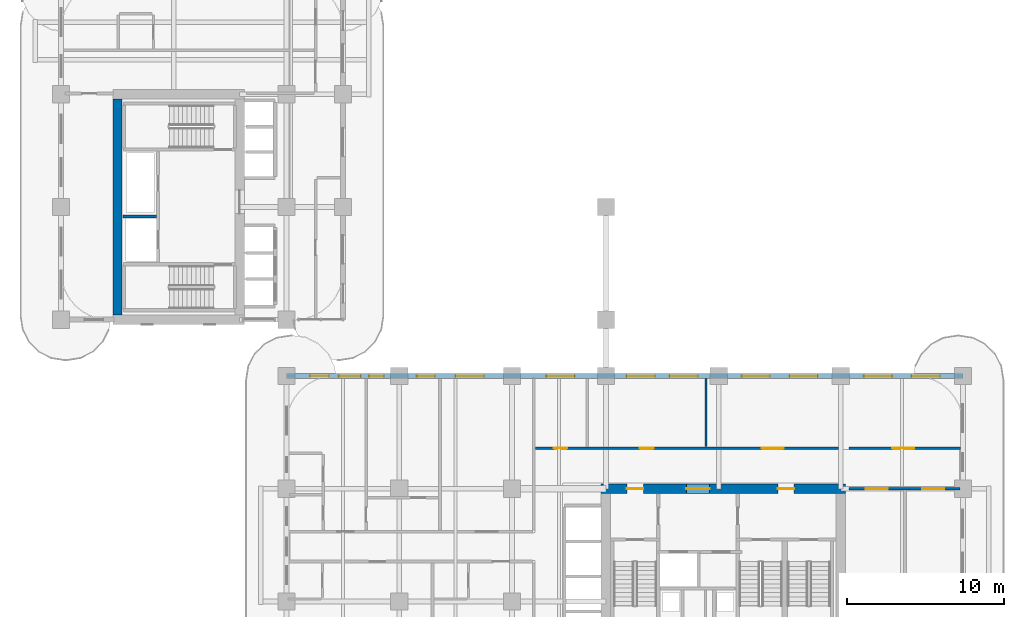
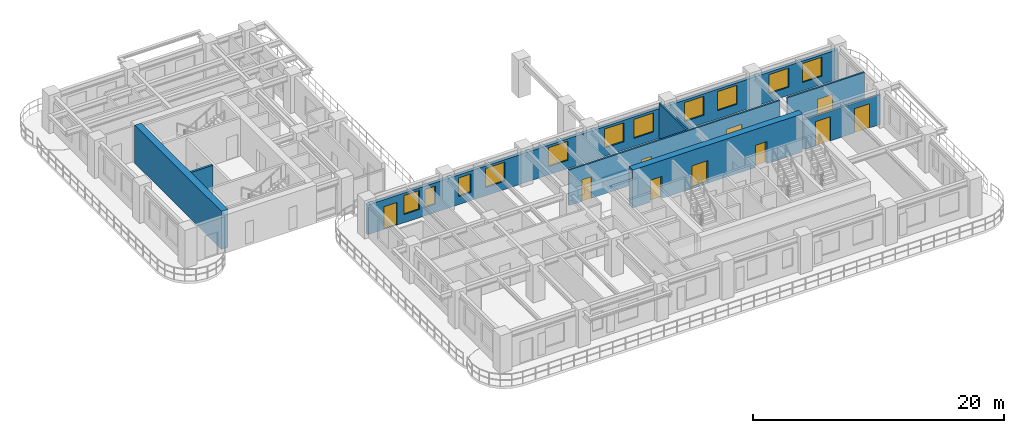
# One storey, part 10 of 19: 11 windows, 10 doors, 8 walls, 21 openings.
"""IFC4 building model written with IfcOpenShell, lengths in metres."""

from ifc_helpers import new_model, si_unit, derived_unit, direction, frame, frame_2d, origin, place, context, subcontext, project, spatial, rectangle, extrude, source, transform, mapped, material, layer, layer_set, type_object, type_shapes, element, fill, save


model = new_model("IFC4")

# Units and contexts
model_context = context("Model", 3, precision=1e-05, world=origin(), true_north=direction((0.0, 1.0)))
body_context = subcontext(model_context, "Body", "Model", "MODEL_VIEW")
ifc_project = project(units=[si_unit("LENGTHUNIT", "METRE"), si_unit("AREAUNIT", "SQUARE_METRE"), si_unit("VOLUMEUNIT", "CUBIC_METRE"), si_unit("PLANEANGLEUNIT", "RADIAN"), si_unit("MASSUNIT", "GRAM", prefix="KILO"), si_unit("THERMODYNAMICTEMPERATUREUNIT", "KELVIN"), si_unit("POWERUNIT", "WATT"), derived_unit("THERMALTRANSMITTANCEUNIT", [(si_unit("POWERUNIT", "WATT"), 1), (si_unit("AREAUNIT", "SQUARE_METRE"), -1), (si_unit("THERMODYNAMICTEMPERATUREUNIT", "KELVIN"), -1)])], contexts=[model_context])

# Site, building, storey
site_placement = place(None, origin())
site = spatial("IfcSite", under=ifc_project, at=site_placement, CompositionType="ELEMENT")
building_placement = place(site_placement, origin())
building = spatial("IfcBuilding", under=site, at=building_placement, Name="Zahravan Archway Hotel and Residences", CompositionType="ELEMENT")
storey_placement = place(building_placement, frame((0.0, 0.0, 39.800048828125)))
storey = spatial("IfcBuildingStorey", under=building, at=storey_placement, Name="L08", CompositionType="ELEMENT", Elevation=39.800048828125)

# Wall, openings, doors
ifc_material_1 = material(Name="Concrete C70/85", Category="concrete")
ifc_layer_1 = layer(ifc_material_1, 0.60009765625, Name="Concrete C70/85", Category="concrete")
ifc_layer_set_1 = layer_set([ifc_layer_1], Name="Concrete C70/85")
wall_type_1 = type_object("IfcWallType", Name="CW-CORE-600", PredefinedType="SHEAR", material=ifc_layer_set_1)
wall_1_placement = place(storey_placement, frame((34.5, 14.39990234375, 0.0), z_axis=(0.0, 0.0, 1.0), x_axis=(1.0, 0.0, 0.0)))
wall_1 = element("IfcWall", 1, at=wall_1_placement, inside=storey, type_object=wall_type_1, Name="L08 Core A Shear N Wall 600 mm", PredefinedType="SHEAR", context=body_context, shape_type="SweptSolid", body=[
    extrude(rectangle(XDim=15.60009765625, YDim=0.60009765625, at=frame_2d((7.800048828125, 0.0))), origin(), (0.0, 0.0, 1.0), 3.699951171875),
])
opening_1_placement = place(wall_1_placement, frame((5.429931640625, 0.0, 0.0)))
opening_1 = element("IfcOpeningElement", 2, at=opening_1_placement, cuts=wall_1, Name="Opening FD-L1", PredefinedType="OPENING", context=body_context, shape_type="SweptSolid", body=[
    extrude(rectangle(XDim=1.5, YDim=2.199951171875, at=frame_2d((0.75, 1.10009765625))), frame((0.0, 0.31005859375, 0.0), z_axis=(0.0, -1.0, 0.0), x_axis=(1.0, 0.0, 0.0)), (0.0, 0.0, 1.0), 0.6201171875),
])
opening_2_placement = place(wall_1_placement, frame((1.64501953125, 0.0, 0.0)))
opening_2 = element("IfcOpeningElement", 3, at=opening_2_placement, cuts=wall_1, Name="Opening FD-L2", PredefinedType="OPENING", context=body_context, shape_type="SweptSolid", body=[
    extrude(rectangle(XDim=1.050048828125, YDim=2.14990234375, at=frame_2d((0.52490234375, 1.074951171875))), frame((0.0, 0.31005859375, 0.0), z_axis=(0.0, -1.0, 0.0), x_axis=(1.0, 0.0, 0.0)), (0.0, 0.0, 1.0), 0.6201171875),
])
opening_3_placement = place(wall_1_placement, frame((11.27490234375, 0.0, 0.0)))
opening_3 = element("IfcOpeningElement", 4, at=opening_3_placement, cuts=wall_1, Name="Opening FD-L2", PredefinedType="OPENING", context=body_context, shape_type="SweptSolid", body=[
    extrude(rectangle(XDim=1.050048828125, YDim=2.14990234375, at=frame_2d((0.52490234375, 1.074951171875))), frame((0.0, 0.31005859375, 0.0), z_axis=(0.0, -1.0, 0.0), x_axis=(1.0, 0.0, 0.0)), (0.0, 0.0, 1.0), 0.6201171875),
])
ifc_material_2 = material(Name="Fire-Rated Painted Steel", Category="steel")
door_type_1 = type_object("IfcDoorType", Name="FD-LOBBY-1100", OperationType="NOTDEFINED", PredefinedType="DOOR", material=ifc_material_2)
shared_shape_1 = source(origin(), body_context, "Body", "SweptSolid", [
    extrude(rectangle(XDim=1.050048828125, YDim=2.14990234375, at=frame_2d((0.52490234375, 1.074951171875))), frame((0.0, 0.02490234375, 0.0), z_axis=(0.0, -1.0, 0.0), x_axis=(1.0, 0.0, 0.0)), (0.0, 0.0, 1.0), 0.050048828125),
])
type_shapes(door_type_1, [shared_shape_1])
door_1_placement = place(opening_2_placement, origin())
door_1 = element("IfcDoor", 5, at=door_1_placement, inside=storey, type_object=door_type_1, Name="L08 Core A West Stair Lobby Door", OperationType="SINGLE_SWING_RIGHT", OverallHeight=2.14990234375, OverallWidth=1.050048828125, PredefinedType="DOOR", context=body_context, shape_type="MappedRepresentation", body=[
    mapped(shared_shape_1, transform((0.0, 0.0, 0.0), scale=1.0)),
])
fill(opening_2, door_1)
door_2_placement = place(opening_3_placement, origin())
door_2 = element("IfcDoor", 6, at=door_2_placement, inside=storey, type_object=door_type_1, Name="L08 Core A East Stair Lobby Door", OperationType="SINGLE_SWING_LEFT", OverallHeight=2.14990234375, OverallWidth=1.050048828125, PredefinedType="DOOR", context=body_context, shape_type="MappedRepresentation", body=[
    mapped(shared_shape_1, transform((0.0, 0.0, 0.0), scale=1.0)),
])
fill(opening_3, door_2)
door_type_2 = type_object("IfcDoorType", Name="FD-LOBBY-1500", OperationType="DOUBLE_DOOR_SINGLE_SWING", PredefinedType="DOOR", material=ifc_material_2)
shared_shape_2 = source(origin(), body_context, "Body", "SweptSolid", [
    extrude(rectangle(XDim=1.5, YDim=2.199951171875, at=frame_2d((0.75, 1.10009765625))), frame((0.0, 0.02490234375, 0.0), z_axis=(0.0, -1.0, 0.0), x_axis=(1.0, 0.0, 0.0)), (0.0, 0.0, 1.0), 0.050048828125),
])
type_shapes(door_type_2, [shared_shape_2])
door_3_placement = place(opening_1_placement, origin())
door_3 = element("IfcDoor", 7, at=door_3_placement, inside=storey, type_object=door_type_2, Name="L08 Core A FSAE Lobby Main Door", OperationType="DOUBLE_DOOR_SINGLE_SWING", OverallHeight=2.199951171875, OverallWidth=1.5, PredefinedType="DOOR", context=body_context, shape_type="MappedRepresentation", body=[
    mapped(shared_shape_2, transform((0.0, 0.0, 0.0), scale=1.0)),
])
fill(opening_1, door_3)

# Wall
wall_2_placement = place(storey_placement, frame((3.60009765625, 25.5, 0.0), z_axis=(0.0, 0.0, 1.0), x_axis=(0.0, 1.0, 0.0)))
element("IfcWall", 8, at=wall_2_placement, inside=storey, type_object=wall_type_1, Name="L08 Core B Shear W Wall 600 mm", PredefinedType="SHEAR", context=body_context, shape_type="SweptSolid", body=[
    extrude(rectangle(XDim=13.800048828125, YDim=0.60009765625, at=frame_2d((6.89990234375, 0.0))), origin(), (0.0, 0.0, 1.0), 3.699951171875),
])

# Wall, openings, door, windows
ifc_material_3 = material(Name="Agra Buff Sandstone & Insulated Backup", Category="masonry")
ifc_layer_2 = layer(ifc_material_3, 0.320068359375, Name="Agra Buff Sandstone & Insulated Backup", Category="masonry")
ifc_layer_set_2 = layer_set([ifc_layer_2], Name="Agra Buff Sandstone & Insulated Backup")
wall_type_2 = type_object("IfcWallType", Name="EW-SAND-320", PredefinedType="SOLIDWALL", material=ifc_layer_set_2)
wall_3_placement = place(storey_placement, frame((14.39990234375, 21.60009765625, 0.0), z_axis=(0.0, 0.0, 1.0), x_axis=(1.0, 0.0, 0.0)))
wall_3 = element("IfcWall", 9, at=wall_3_placement, inside=storey, type_object=wall_type_2, Name="L08 Exterior Sandstone Wall WA-NE", PredefinedType="SOLIDWALL", context=body_context, shape_type="SweptSolid", body=[
    extrude(rectangle(XDim=43.2001953125, YDim=0.320068359375, at=frame_2d((21.60009765625, 0.0))), origin(), (0.0, 0.0, 1.0), 2.885009765625),
])
opening_4_placement = place(wall_3_placement, frame((1.5, 0.0, 0.0)))
opening_4 = element("IfcOpeningElement", 10, at=opening_4_placement, cuts=wall_3, Name="Opening ED-BL1", PredefinedType="OPENING", context=body_context, shape_type="SweptSolid", body=[
    extrude(rectangle(XDim=1.199951171875, YDim=2.199951171875, at=frame_2d((0.60009765625, 1.10009765625))), frame((0.0, 0.169921875, 0.0), z_axis=(0.0, -1.0, 0.0), x_axis=(1.0, 0.0, 0.0)), (0.0, 0.0, 1.0), 0.340087890625),
])
opening_5_placement = place(wall_3_placement, frame((3.3359375, 0.0, 0.800048828125)))
opening_5 = element("IfcOpeningElement", 11, at=opening_5_placement, cuts=wall_3, Name="Opening W-03", PredefinedType="OPENING", context=body_context, shape_type="SweptSolid", body=[
    extrude(rectangle(XDim=1.39990234375, YDim=1.85009765625, at=frame_2d((0.699951171875, 0.925048828125))), frame((0.0, 0.169921875, 0.0), z_axis=(0.0, -1.0, 0.0), x_axis=(1.0, 0.0, 0.0)), (0.0, 0.0, 1.0), 0.340087890625),
])
opening_6_placement = place(wall_3_placement, frame((5.26904296875, 0.0, 0.800048828125)))
opening_6 = element("IfcOpeningElement", 12, at=opening_6_placement, cuts=wall_3, Name="Opening W-04", PredefinedType="OPENING", context=body_context, shape_type="SweptSolid", body=[
    extrude(rectangle(XDim=0.949951171875, YDim=1.75, at=frame_2d((0.47509765625, 0.875))), frame((0.0, 0.169921875, 0.0), z_axis=(0.0, -1.0, 0.0), x_axis=(1.0, 0.0, 0.0)), (0.0, 0.0, 1.0), 0.340087890625),
])
opening_7_placement = place(wall_3_placement, frame((8.321044921875, 0.0, 0.800048828125)))
opening_7 = element("IfcOpeningElement", 13, at=opening_7_placement, cuts=wall_3, Name="Opening W-05", PredefinedType="OPENING", context=body_context, shape_type="SweptSolid", body=[
    extrude(rectangle(XDim=1.14990234375, YDim=1.800048828125, at=frame_2d((0.574951171875, 0.89990234375))), frame((0.0, 0.169921875, 0.0), z_axis=(0.0, -1.0, 0.0), x_axis=(1.0, 0.0, 0.0)), (0.0, 0.0, 1.0), 0.340087890625),
])
opening_8_placement = place(wall_3_placement, frame((10.803955078125, 0.0, 0.800048828125)))
opening_8 = element("IfcOpeningElement", 14, at=opening_8_placement, cuts=wall_3, Name="Opening W-02", PredefinedType="OPENING", context=body_context, shape_type="SweptSolid", body=[
    extrude(rectangle(XDim=1.800048828125, YDim=1.85009765625, at=frame_2d((0.89990234375, 0.925048828125))), frame((0.0, 0.169921875, 0.0), z_axis=(0.0, -1.0, 0.0), x_axis=(1.0, 0.0, 0.0)), (0.0, 0.0, 1.0), 0.340087890625),
])
opening_9_placement = place(wall_3_placement, frame((16.60107421875, 0.0, 0.800048828125)))
opening_9 = element("IfcOpeningElement", 15, at=opening_9_placement, cuts=wall_3, Name="Opening W-02", PredefinedType="OPENING", context=body_context, shape_type="SweptSolid", body=[
    extrude(rectangle(XDim=1.800048828125, YDim=1.85009765625, at=frame_2d((0.89990234375, 0.925048828125))), frame((0.0, 0.169921875, 0.0), z_axis=(0.0, -1.0, 0.0), x_axis=(1.0, 0.0, 0.0)), (0.0, 0.0, 1.0), 0.340087890625),
])
opening_10_placement = place(wall_3_placement, frame((21.722900390625, 0.0, 0.800048828125)))
opening_10 = element("IfcOpeningElement", 16, at=opening_10_placement, cuts=wall_3, Name="Opening W-02", PredefinedType="OPENING", context=body_context, shape_type="SweptSolid", body=[
    extrude(rectangle(XDim=1.800048828125, YDim=1.85009765625, at=frame_2d((0.89990234375, 0.925048828125))), frame((0.0, 0.169921875, 0.0), z_axis=(0.0, -1.0, 0.0), x_axis=(1.0, 0.0, 0.0)), (0.0, 0.0, 1.0), 0.340087890625),
])
opening_11_placement = place(wall_3_placement, frame((24.468994140625, 0.0, 0.800048828125)))
opening_11 = element("IfcOpeningElement", 17, at=opening_11_placement, cuts=wall_3, Name="Opening W-02", PredefinedType="OPENING", context=body_context, shape_type="SweptSolid", body=[
    extrude(rectangle(XDim=1.800048828125, YDim=1.85009765625, at=frame_2d((0.89990234375, 0.925048828125))), frame((0.0, 0.169921875, 0.0), z_axis=(0.0, -1.0, 0.0), x_axis=(1.0, 0.0, 0.0)), (0.0, 0.0, 1.0), 0.340087890625),
])
opening_12_placement = place(wall_3_placement, frame((29.074951171875, 0.0, 0.800048828125)))
opening_12 = element("IfcOpeningElement", 18, at=opening_12_placement, cuts=wall_3, Name="Opening W-02", PredefinedType="OPENING", context=body_context, shape_type="SweptSolid", body=[
    extrude(rectangle(XDim=1.800048828125, YDim=1.85009765625, at=frame_2d((0.89990234375, 0.925048828125))), frame((0.0, 0.169921875, 0.0), z_axis=(0.0, -1.0, 0.0), x_axis=(1.0, 0.0, 0.0)), (0.0, 0.0, 1.0), 0.340087890625),
])
opening_13_placement = place(wall_3_placement, frame((32.125, 0.0, 0.800048828125)))
opening_13 = element("IfcOpeningElement", 19, at=opening_13_placement, cuts=wall_3, Name="Opening W-02", PredefinedType="OPENING", context=body_context, shape_type="SweptSolid", body=[
    extrude(rectangle(XDim=1.800048828125, YDim=1.85009765625, at=frame_2d((0.89990234375, 0.925048828125))), frame((0.0, 0.169921875, 0.0), z_axis=(0.0, -1.0, 0.0), x_axis=(1.0, 0.0, 0.0)), (0.0, 0.0, 1.0), 0.340087890625),
])
opening_14_placement = place(wall_3_placement, frame((36.875, 0.0, 0.800048828125)))
opening_14 = element("IfcOpeningElement", 20, at=opening_14_placement, cuts=wall_3, Name="Opening W-02", PredefinedType="OPENING", context=body_context, shape_type="SweptSolid", body=[
    extrude(rectangle(XDim=1.800048828125, YDim=1.85009765625, at=frame_2d((0.89990234375, 0.925048828125))), frame((0.0, 0.169921875, 0.0), z_axis=(0.0, -1.0, 0.0), x_axis=(1.0, 0.0, 0.0)), (0.0, 0.0, 1.0), 0.340087890625),
])
opening_15_placement = place(wall_3_placement, frame((39.925048828125, 0.0, 0.800048828125)))
opening_15 = element("IfcOpeningElement", 21, at=opening_15_placement, cuts=wall_3, Name="Opening W-02", PredefinedType="OPENING", context=body_context, shape_type="SweptSolid", body=[
    extrude(rectangle(XDim=1.800048828125, YDim=1.85009765625, at=frame_2d((0.89990234375, 0.925048828125))), frame((0.0, 0.169921875, 0.0), z_axis=(0.0, -1.0, 0.0), x_axis=(1.0, 0.0, 0.0)), (0.0, 0.0, 1.0), 0.340087890625),
])
ifc_material_4 = material(Name="Bronze-Anodized Glazed Aluminium", Category="aluminium")
door_type_3 = type_object("IfcDoorType", Name="ED-BALC-1200", OperationType="SLIDING_TO_LEFT", PredefinedType="DOOR", material=ifc_material_4)
shared_shape_3 = source(origin(), body_context, "Body", "SweptSolid", [
    extrude(rectangle(XDim=1.199951171875, YDim=2.199951171875, at=frame_2d((0.60009765625, 1.10009765625))), frame((0.0, 0.02490234375, 0.0), z_axis=(0.0, -1.0, 0.0), x_axis=(1.0, 0.0, 0.0)), (0.0, 0.0, 1.0), 0.050048828125),
])
type_shapes(door_type_3, [shared_shape_3])
door_4_placement = place(opening_4_placement, origin())
door_4 = element("IfcDoor", 22, at=door_4_placement, inside=storey, type_object=door_type_3, Name="L08 Outdoor Access Sliding Door (SLB-BAL-L08-WA)", OperationType="SLIDING_TO_LEFT", OverallHeight=2.199951171875, OverallWidth=1.199951171875, PredefinedType="DOOR", context=body_context, shape_type="MappedRepresentation", body=[
    mapped(shared_shape_3, transform((0.0, 0.0, 0.0), scale=1.0)),
])
fill(opening_4, door_4)
ifc_material_5 = material(Name="Bronze-Anodized Thermal-Break Aluminium & Low-E Glass", Category="aluminium")
window_type_1 = type_object("IfcWindowType", Name="WIN-TWR-1400", PartitioningType="SINGLE_PANEL", PredefinedType="WINDOW", material=ifc_material_5)
shared_shape_4 = source(origin(), body_context, "Body", "SweptSolid", [
    extrude(rectangle(XDim=1.39990234375, YDim=1.85009765625, at=frame_2d((0.699951171875, 0.925048828125))), frame((0.0, 0.030029296875, 0.0), z_axis=(0.0, -1.0, 0.0), x_axis=(1.0, 0.0, 0.0)), (0.0, 0.0, 1.0), 0.06005859375),
])
type_shapes(window_type_1, [shared_shape_4])
window_1_placement = place(opening_5_placement, origin())
window_1 = element("IfcWindow", 23, at=window_1_placement, inside=storey, type_object=window_type_1, Name="L08 Loggia Window 17", OverallHeight=1.85009765625, OverallWidth=1.39990234375, PartitioningType="SINGLE_PANEL", PredefinedType="WINDOW", context=body_context, shape_type="MappedRepresentation", body=[
    mapped(shared_shape_4, transform((0.0, 0.0, 0.0), scale=1.0)),
])
fill(opening_5, window_1)
window_type_2 = type_object("IfcWindowType", Name="WIN-NAR-950", PartitioningType="SINGLE_PANEL", PredefinedType="WINDOW", material=ifc_material_5)
shared_shape_5 = source(origin(), body_context, "Body", "SweptSolid", [
    extrude(rectangle(XDim=0.949951171875, YDim=1.75, at=frame_2d((0.47509765625, 0.875))), frame((0.0, 0.030029296875, 0.0), z_axis=(0.0, -1.0, 0.0), x_axis=(1.0, 0.0, 0.0)), (0.0, 0.0, 1.0), 0.06005859375),
])
type_shapes(window_type_2, [shared_shape_5])
window_2_placement = place(opening_6_placement, origin())
window_2 = element("IfcWindow", 24, at=window_2_placement, inside=storey, type_object=window_type_2, Name="L08 Loggia Window 18", OverallHeight=1.75, OverallWidth=0.949951171875, PartitioningType="SINGLE_PANEL", PredefinedType="WINDOW", context=body_context, shape_type="MappedRepresentation", body=[
    mapped(shared_shape_5, transform((0.0, 0.0, 0.0), scale=1.0)),
])
fill(opening_6, window_2)
window_type_3 = type_object("IfcWindowType", Name="WIN-TWR-1800", PartitioningType="DOUBLE_PANEL_VERTICAL", PredefinedType="WINDOW", material=ifc_material_5)
shared_shape_6 = source(origin(), body_context, "Body", "SweptSolid", [
    extrude(rectangle(XDim=1.800048828125, YDim=1.85009765625, at=frame_2d((0.89990234375, 0.925048828125))), frame((0.0, 0.030029296875, 0.0), z_axis=(0.0, -1.0, 0.0), x_axis=(1.0, 0.0, 0.0)), (0.0, 0.0, 1.0), 0.06005859375),
])
type_shapes(window_type_3, [shared_shape_6])
window_3_placement = place(opening_8_placement, origin())
window_3 = element("IfcWindow", 25, at=window_3_placement, inside=storey, type_object=window_type_3, Name="L08 Loggia Window 20", OverallHeight=1.85009765625, OverallWidth=1.800048828125, PartitioningType="DOUBLE_PANEL_VERTICAL", PredefinedType="WINDOW", context=body_context, shape_type="MappedRepresentation", body=[
    mapped(shared_shape_6, transform((0.0, 0.0, 0.0), scale=1.0)),
])
fill(opening_8, window_3)
window_4_placement = place(opening_9_placement, origin())
window_4 = element("IfcWindow", 26, at=window_4_placement, inside=storey, type_object=window_type_3, Name="L08 Loggia Window 21", OverallHeight=1.85009765625, OverallWidth=1.800048828125, PartitioningType="DOUBLE_PANEL_VERTICAL", PredefinedType="WINDOW", context=body_context, shape_type="MappedRepresentation", body=[
    mapped(shared_shape_6, transform((0.0, 0.0, 0.0), scale=1.0)),
])
fill(opening_9, window_4)
window_5_placement = place(opening_10_placement, origin())
window_5 = element("IfcWindow", 27, at=window_5_placement, inside=storey, type_object=window_type_3, Name="L08 Loggia Window 22", OverallHeight=1.85009765625, OverallWidth=1.800048828125, PartitioningType="DOUBLE_PANEL_VERTICAL", PredefinedType="WINDOW", context=body_context, shape_type="MappedRepresentation", body=[
    mapped(shared_shape_6, transform((0.0, 0.0, 0.0), scale=1.0)),
])
fill(opening_10, window_5)
window_6_placement = place(opening_11_placement, origin())
window_6 = element("IfcWindow", 28, at=window_6_placement, inside=storey, type_object=window_type_3, Name="L08 Loggia Window 23", OverallHeight=1.85009765625, OverallWidth=1.800048828125, PartitioningType="DOUBLE_PANEL_VERTICAL", PredefinedType="WINDOW", context=body_context, shape_type="MappedRepresentation", body=[
    mapped(shared_shape_6, transform((0.0, 0.0, 0.0), scale=1.0)),
])
fill(opening_11, window_6)
window_7_placement = place(opening_12_placement, origin())
window_7 = element("IfcWindow", 29, at=window_7_placement, inside=storey, type_object=window_type_3, Name="L08 Loggia Window 24", OverallHeight=1.85009765625, OverallWidth=1.800048828125, PartitioningType="DOUBLE_PANEL_VERTICAL", PredefinedType="WINDOW", context=body_context, shape_type="MappedRepresentation", body=[
    mapped(shared_shape_6, transform((0.0, 0.0, 0.0), scale=1.0)),
])
fill(opening_12, window_7)
window_8_placement = place(opening_13_placement, origin())
window_8 = element("IfcWindow", 30, at=window_8_placement, inside=storey, type_object=window_type_3, Name="L08 Loggia Window 25", OverallHeight=1.85009765625, OverallWidth=1.800048828125, PartitioningType="DOUBLE_PANEL_VERTICAL", PredefinedType="WINDOW", context=body_context, shape_type="MappedRepresentation", body=[
    mapped(shared_shape_6, transform((0.0, 0.0, 0.0), scale=1.0)),
])
fill(opening_13, window_8)
window_9_placement = place(opening_14_placement, origin())
window_9 = element("IfcWindow", 31, at=window_9_placement, inside=storey, type_object=window_type_3, Name="L08 Loggia Window 26", OverallHeight=1.85009765625, OverallWidth=1.800048828125, PartitioningType="DOUBLE_PANEL_VERTICAL", PredefinedType="WINDOW", context=body_context, shape_type="MappedRepresentation", body=[
    mapped(shared_shape_6, transform((0.0, 0.0, 0.0), scale=1.0)),
])
fill(opening_14, window_9)
window_10_placement = place(opening_15_placement, origin())
window_10 = element("IfcWindow", 32, at=window_10_placement, inside=storey, type_object=window_type_3, Name="L08 Loggia Window 27", OverallHeight=1.85009765625, OverallWidth=1.800048828125, PartitioningType="DOUBLE_PANEL_VERTICAL", PredefinedType="WINDOW", context=body_context, shape_type="MappedRepresentation", body=[
    mapped(shared_shape_6, transform((0.0, 0.0, 0.0), scale=1.0)),
])
fill(opening_15, window_10)
window_type_4 = type_object("IfcWindowType", Name="WIN-TWR-1150", PartitioningType="SINGLE_PANEL", PredefinedType="WINDOW", material=ifc_material_5)
shared_shape_7 = source(origin(), body_context, "Body", "SweptSolid", [
    extrude(rectangle(XDim=1.14990234375, YDim=1.800048828125, at=frame_2d((0.574951171875, 0.89990234375))), frame((0.0, 0.030029296875, 0.0), z_axis=(0.0, -1.0, 0.0), x_axis=(1.0, 0.0, 0.0)), (0.0, 0.0, 1.0), 0.06005859375),
])
type_shapes(window_type_4, [shared_shape_7])
window_11_placement = place(opening_7_placement, origin())
window_11 = element("IfcWindow", 33, at=window_11_placement, inside=storey, type_object=window_type_4, Name="L08 Loggia Window 19", OverallHeight=1.800048828125, OverallWidth=1.14990234375, PartitioningType="SINGLE_PANEL", PredefinedType="WINDOW", context=body_context, shape_type="MappedRepresentation", body=[
    mapped(shared_shape_7, transform((0.0, 0.0, 0.0), scale=1.0)),
])
fill(opening_7, window_11)

# Wall, openings, doors
ifc_material_6 = material(Name="Fire-Rated Gypsum & Concrete Block", Category="concrete")
ifc_layer_3 = layer(ifc_material_6, 0.159912109375, Name="Fire-Rated Gypsum & Concrete Block", Category="concrete")
ifc_layer_set_3 = layer_set([ifc_layer_3], Name="Fire-Rated Gypsum & Concrete Block")
wall_type_3 = type_object("IfcWallType", Name="PW-CORR-160", PredefinedType="PARTITIONING", material=ifc_layer_set_3)
wall_4_placement = place(storey_placement, frame((30.2900390625, 17.0, 0.0), z_axis=(0.0, 0.0, 1.0), x_axis=(1.0, 0.0, 0.0)))
wall_4 = element("IfcWall", 34, at=wall_4_placement, inside=storey, type_object=wall_type_3, Name="L08 Partition WA-FN", PredefinedType="PARTITIONING", context=body_context, shape_type="SweptSolid", body=[
    extrude(rectangle(XDim=19.369873046875, YDim=0.159912109375, at=frame_2d((9.68505859375, 0.0))), origin(), (0.0, 0.0, 1.0), 3.449951171875),
])
opening_16_placement = place(wall_4_placement, frame((1.18505859375, 0.0, 0.0)))
opening_16 = element("IfcOpeningElement", 35, at=opening_16_placement, cuts=wall_4, Name="Opening D-B1", PredefinedType="OPENING", context=body_context, shape_type="SweptSolid", body=[
    extrude(rectangle(XDim=0.85009765625, YDim=2.10009765625, at=frame_2d((0.425048828125, 1.050048828125))), frame((0.0, 0.08984375, 0.0), z_axis=(0.0, -1.0, 0.0), x_axis=(1.0, 0.0, 0.0)), (0.0, 0.0, 1.0), 0.179931640625),
])
opening_17_placement = place(wall_4_placement, frame((6.659912109375, 0.0, 0.0)))
opening_17 = element("IfcOpeningElement", 36, at=opening_17_placement, cuts=wall_4, Name="Opening D-I2", PredefinedType="OPENING", context=body_context, shape_type="SweptSolid", body=[
    extrude(rectangle(XDim=0.89990234375, YDim=2.14990234375, at=frame_2d((0.449951171875, 1.074951171875))), frame((0.0, 0.08984375, 0.0), z_axis=(0.0, -1.0, 0.0), x_axis=(1.0, 0.0, 0.0)), (0.0, 0.0, 1.0), 0.179931640625),
])
opening_18_placement = place(wall_4_placement, frame((14.4599609375, 0.0, 0.0)))
opening_18 = element("IfcOpeningElement", 37, at=opening_18_placement, cuts=wall_4, Name="Opening D-P1", PredefinedType="OPENING", context=body_context, shape_type="SweptSolid", body=[
    extrude(rectangle(XDim=1.39990234375, YDim=2.35009765625, at=frame_2d((0.699951171875, 1.175048828125))), frame((0.0, 0.08984375, 0.0), z_axis=(0.0, -1.0, 0.0), x_axis=(1.0, 0.0, 0.0)), (0.0, 0.0, 1.0), 0.179931640625),
])
ifc_material_7 = material(Name="Hardwood Veneer Timber", Category="wood")
door_type_4 = type_object("IfcDoorType", Name="ID-BATH-850", OperationType="NOTDEFINED", PredefinedType="DOOR", material=ifc_material_7)
shared_shape_8 = source(origin(), body_context, "Body", "SweptSolid", [
    extrude(rectangle(XDim=0.85009765625, YDim=2.10009765625, at=frame_2d((0.425048828125, 1.050048828125))), frame((0.0, 0.02490234375, 0.0), z_axis=(0.0, -1.0, 0.0), x_axis=(1.0, 0.0, 0.0)), (0.0, 0.0, 1.0), 0.050048828125),
])
type_shapes(door_type_4, [shared_shape_8])
door_5_placement = place(opening_16_placement, origin())
door_5 = element("IfcDoor", 38, at=door_5_placement, inside=storey, type_object=door_type_4, Name="L08 Accessible Floor Restroom Door", OperationType="SINGLE_SWING_RIGHT", OverallHeight=2.10009765625, OverallWidth=0.85009765625, PredefinedType="DOOR", context=body_context, shape_type="MappedRepresentation", body=[
    mapped(shared_shape_8, transform((0.0, 0.0, 0.0), scale=1.0)),
])
fill(opening_16, door_5)
door_type_5 = type_object("IfcDoorType", Name="ID-PUBLIC-1400", OperationType="DOUBLE_DOOR_SINGLE_SWING", PredefinedType="DOOR", material=ifc_material_4)
shared_shape_9 = source(origin(), body_context, "Body", "SweptSolid", [
    extrude(rectangle(XDim=1.39990234375, YDim=2.35009765625, at=frame_2d((0.699951171875, 1.175048828125))), frame((0.0, 0.02490234375, 0.0), z_axis=(0.0, -1.0, 0.0), x_axis=(1.0, 0.0, 0.0)), (0.0, 0.0, 1.0), 0.050048828125),
])
type_shapes(door_type_5, [shared_shape_9])
door_6_placement = place(opening_18_placement, origin())
door_6 = element("IfcDoor", 39, at=door_6_placement, inside=storey, type_object=door_type_5, Name="L08 Co-Working Room Door", OperationType="DOUBLE_DOOR_SINGLE_SWING", OverallHeight=2.35009765625, OverallWidth=1.39990234375, PredefinedType="DOOR", context=body_context, shape_type="MappedRepresentation", body=[
    mapped(shared_shape_9, transform((0.0, 0.0, 0.0), scale=1.0)),
])
fill(opening_18, door_6)
door_type_6 = type_object("IfcDoorType", Name="ID-INT-900", OperationType="NOTDEFINED", PredefinedType="DOOR", material=ifc_material_7)
shared_shape_10 = source(origin(), body_context, "Body", "SweptSolid", [
    extrude(rectangle(XDim=0.89990234375, YDim=2.14990234375, at=frame_2d((0.449951171875, 1.074951171875))), frame((0.0, 0.02490234375, 0.0), z_axis=(0.0, -1.0, 0.0), x_axis=(1.0, 0.0, 0.0)), (0.0, 0.0, 1.0), 0.050048828125),
])
type_shapes(door_type_6, [shared_shape_10])
door_7_placement = place(opening_17_placement, origin())
door_7 = element("IfcDoor", 40, at=door_7_placement, inside=storey, type_object=door_type_6, Name="L08 Tea Servery Door", OperationType="SINGLE_SWING_LEFT", OverallHeight=2.14990234375, OverallWidth=0.89990234375, PredefinedType="DOOR", context=body_context, shape_type="MappedRepresentation", body=[
    mapped(shared_shape_10, transform((0.0, 0.0, 0.0), scale=1.0)),
])
fill(opening_17, door_7)

# Wall, opening, door
wall_5_placement = place(storey_placement, frame((50.340087890625, 17.0, 0.0), z_axis=(0.0, 0.0, 1.0), x_axis=(1.0, 0.0, 0.0)))
wall_5 = element("IfcWall", 41, at=wall_5_placement, inside=storey, type_object=wall_type_3, Name="L08 Partition EA-PN", PredefinedType="PARTITIONING", context=body_context, shape_type="SweptSolid", body=[
    extrude(rectangle(XDim=7.091796875, YDim=0.159912109375, at=frame_2d((3.5458984375, 0.0))), origin(), (0.0, 0.0, 1.0), 3.449951171875),
])
opening_19_placement = place(wall_5_placement, frame((2.760009765625, 0.0, 0.0)))
opening_19 = element("IfcOpeningElement", 42, at=opening_19_placement, cuts=wall_5, Name="Opening D-P1", PredefinedType="OPENING", context=body_context, shape_type="SweptSolid", body=[
    extrude(rectangle(XDim=1.39990234375, YDim=2.35009765625, at=frame_2d((0.699951171875, 1.175048828125))), frame((0.0, 0.08984375, 0.0), z_axis=(0.0, -1.0, 0.0), x_axis=(1.0, 0.0, 0.0)), (0.0, 0.0, 1.0), 0.179931640625),
])
door_8_placement = place(opening_19_placement, origin())
door_8 = element("IfcDoor", 43, at=door_8_placement, inside=storey, type_object=door_type_5, Name="L08 East Fitness Studio Door", OperationType="DOUBLE_DOOR_SINGLE_SWING", OverallHeight=2.35009765625, OverallWidth=1.39990234375, PredefinedType="DOOR", context=body_context, shape_type="MappedRepresentation", body=[
    mapped(shared_shape_9, transform((0.0, 0.0, 0.0), scale=1.0)),
])
fill(opening_19, door_8)

# Wall
ifc_layer_4 = layer(ifc_material_6, 0.199951171875, Name="Fire-Rated Gypsum & Concrete Block", Category="concrete")
ifc_layer_set_4 = layer_set([ifc_layer_4], Name="Fire-Rated Gypsum & Concrete Block")
wall_type_4 = type_object("IfcWallType", Name="PW-SHAFT-200", PredefinedType="PARTITIONING", material=ifc_layer_set_4)
wall_6_placement = place(storey_placement, frame((3.9599609375, 31.780029296875, 0.0), z_axis=(0.0, 0.0, 1.0), x_axis=(1.0, 0.0, 0.0)))
element("IfcWall", 44, at=wall_6_placement, inside=storey, type_object=wall_type_4, Name="L08 Partition CB-FL3N", PredefinedType="PARTITIONING", context=body_context, shape_type="SweptSolid", body=[
    extrude(rectangle(XDim=2.130126953125, YDim=0.199951171875, at=frame_2d((1.06494140625, 0.0))), origin(), (0.0, 0.0, 1.0), 3.449951171875),
])

# Wall, openings, doors
ifc_material_8 = material(Name="Acoustic Stud Partition")
ifc_layer_5 = layer(ifc_material_8, 0.169921875, Name="Acoustic Stud Partition")
ifc_layer_set_5 = layer_set([ifc_layer_5], Name="Acoustic Stud Partition")
wall_type_5 = type_object("IfcWallType", Name="PW-UNIT-170", PredefinedType="PARTITIONING", material=ifc_layer_set_5)
wall_7_placement = place(storey_placement, frame((50.340087890625, 14.39990234375, 0.0), z_axis=(0.0, 0.0, 1.0), x_axis=(1.0, 0.0, 0.0)))
wall_7 = element("IfcWall", 45, at=wall_7_placement, inside=storey, type_object=wall_type_5, Name="L08 Partition EA-PS", PredefinedType="PARTITIONING", context=body_context, shape_type="SweptSolid", body=[
    extrude(rectangle(XDim=7.06982421875, YDim=0.169921875, at=frame_2d((3.534912109375, 0.0))), origin(), (0.0, 0.0, 1.0), 2.885009765625),
])
opening_20_placement = place(wall_7_placement, frame((1.06005859375, 0.0, 0.0)))
opening_20 = element("IfcOpeningElement", 46, at=opening_20_placement, cuts=wall_7, Name="Opening D-P1", PredefinedType="OPENING", context=body_context, shape_type="SweptSolid", body=[
    extrude(rectangle(XDim=1.39990234375, YDim=2.35009765625, at=frame_2d((0.699951171875, 1.175048828125))), frame((0.0, 0.094970703125, 0.0), z_axis=(0.0, -1.0, 0.0), x_axis=(1.0, 0.0, 0.0)), (0.0, 0.0, 1.0), 0.18994140625),
])
opening_21_placement = place(wall_7_placement, frame((4.659912109375, 0.0, 0.0)))
opening_21 = element("IfcOpeningElement", 47, at=opening_21_placement, cuts=wall_7, Name="Opening D-P1", PredefinedType="OPENING", context=body_context, shape_type="SweptSolid", body=[
    extrude(rectangle(XDim=1.39990234375, YDim=2.35009765625, at=frame_2d((0.699951171875, 1.175048828125))), frame((0.0, 0.094970703125, 0.0), z_axis=(0.0, -1.0, 0.0), x_axis=(1.0, 0.0, 0.0)), (0.0, 0.0, 1.0), 0.18994140625),
])
door_9_placement = place(opening_20_placement, origin())
door_9 = element("IfcDoor", 48, at=door_9_placement, inside=storey, type_object=door_type_5, Name="L08 East Conference Room Door", OperationType="DOUBLE_DOOR_SINGLE_SWING", OverallHeight=2.35009765625, OverallWidth=1.39990234375, PredefinedType="DOOR", context=body_context, shape_type="MappedRepresentation", body=[
    mapped(shared_shape_9, transform((0.0, 0.0, 0.0), scale=1.0)),
])
fill(opening_20, door_9)
door_10_placement = place(opening_21_placement, origin())
door_10 = element("IfcDoor", 49, at=door_10_placement, inside=storey, type_object=door_type_5, Name="L08 East Salon Door", OperationType="DOUBLE_DOOR_SINGLE_SWING", OverallHeight=2.35009765625, OverallWidth=1.39990234375, PredefinedType="DOOR", context=body_context, shape_type="MappedRepresentation", body=[
    mapped(shared_shape_9, transform((0.0, 0.0, 0.0), scale=1.0)),
])
fill(opening_21, door_10)

# Wall
ifc_material_9 = material(Name="Moisture-Resistant Blockwork", Category="masonry")
ifc_layer_6 = layer(ifc_material_9, 0.139892578125, Name="Moisture-Resistant Blockwork", Category="masonry")
ifc_layer_set_6 = layer_set([ifc_layer_6], Name="Moisture-Resistant Blockwork")
wall_type_6 = type_object("IfcWallType", Name="PW-WET-140", PredefinedType="PARTITIONING", material=ifc_layer_set_6)
wall_8_placement = place(storey_placement, frame((41.199951171875, 17.090087890625, 0.0), z_axis=(0.0, 0.0, 1.0), x_axis=(0.0, 1.0, 0.0)))
element("IfcWall", 50, at=wall_8_placement, inside=storey, type_object=wall_type_6, Name="L08 Partition NE0-2", PredefinedType="PARTITIONING", context=body_context, shape_type="SweptSolid", body=[
    extrude(rectangle(XDim=4.341796875, YDim=0.139892578125, at=frame_2d((2.1708984375, 0.0))), origin(), (0.0, 0.0, 1.0), 3.449951171875),
])

save(model, "model.ifc")
